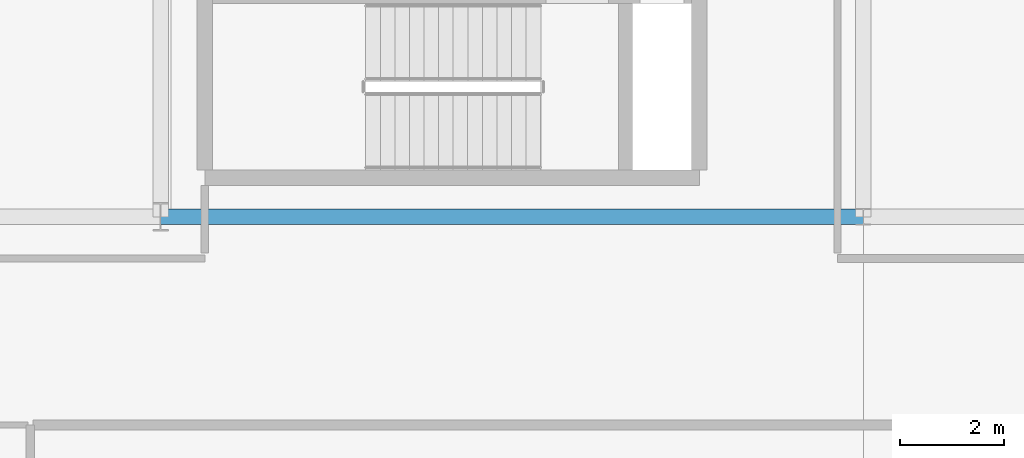
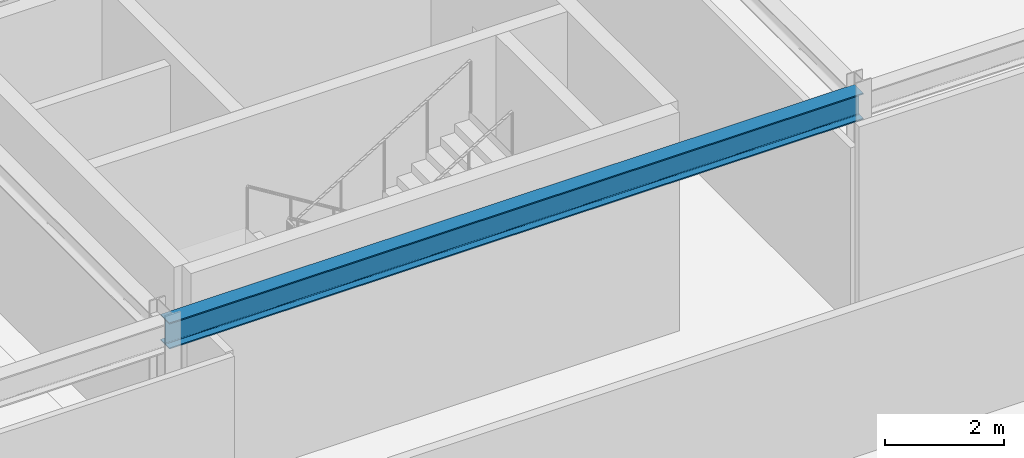
# One storey, part 17 of 55: 1 beam.
"""IFC4 building model written with IfcOpenShell, lengths in metres."""

from ifc_helpers import new_model, si_unit, direction, frame, origin, origin_2d, place, context, subcontext, project, spatial, i_section, extrude, material, material_profile, profile_set, type_object, element, save


model = new_model("IFC4")

# Units and contexts
model_context = context("Model", 3, precision=1e-05, world=origin(), true_north=direction((0.0, 1.0)))
body_context = subcontext(model_context, "Body", "Model", "MODEL_VIEW")
ifc_project = project(units=[si_unit("LENGTHUNIT", "METRE"), si_unit("AREAUNIT", "SQUARE_METRE"), si_unit("VOLUMEUNIT", "CUBIC_METRE"), si_unit("PLANEANGLEUNIT", "RADIAN"), si_unit("MASSUNIT", "GRAM", prefix="KILO")], contexts=[model_context])

# Site, building, storey
site_placement = place(None, origin())
site = spatial("IfcSite", under=ifc_project, at=site_placement, CompositionType="ELEMENT")
building_placement = place(site_placement, origin())
building = spatial("IfcBuilding", under=site, at=building_placement, Name="Fikremerkos Civic Library", CompositionType="ELEMENT")
storey_placement = place(building_placement, frame((0.0, 0.0, 18.89990234375)))
storey = spatial("IfcBuildingStorey", under=building, at=storey_placement, Name="L04", CompositionType="ELEMENT", Elevation=18.89990234375)

# Beam
ifc_material = material(Name="Steel S355", Category="steel")
ifc_material_profile = material_profile(ifc_material, i_section(OverallWidth=0.300048828125, OverallDepth=0.5400390625, WebThickness=0.012451171875, FlangeThickness=0.02392578125, FilletRadius=0.027099609375, at=origin_2d()), Name="HEA 550")
ifc_profile_set = profile_set([ifc_material_profile], Name="Steel S355")
beam_type = type_object("IfcBeamType", Name="Primary girder BM-16 HEA 550", PredefinedType="BEAM", material=ifc_profile_set)
beam_placement = place(storey_placement, frame((46.199951171875, 21.60009765625, 3.97021484375), z_axis=(1.0, 0.0, 0.0), x_axis=(0.0, 1.0, 0.0)))
element("IfcBeam", 1, at=beam_placement, inside=storey, type_object=beam_type, Name="Primary girder BM-16 L04 grid F", PredefinedType="BEAM", context=body_context, shape_type="SweptSolid", body=[
    extrude(i_section(OverallWidth=0.300048828125, OverallDepth=0.5400390625, WebThickness=0.012451171875, FlangeThickness=0.02392578125, FilletRadius=0.027099609375, at=origin_2d()), origin(), (0.0, 0.0, 1.0), 13.5),
])

save(model, "model.ifc")
